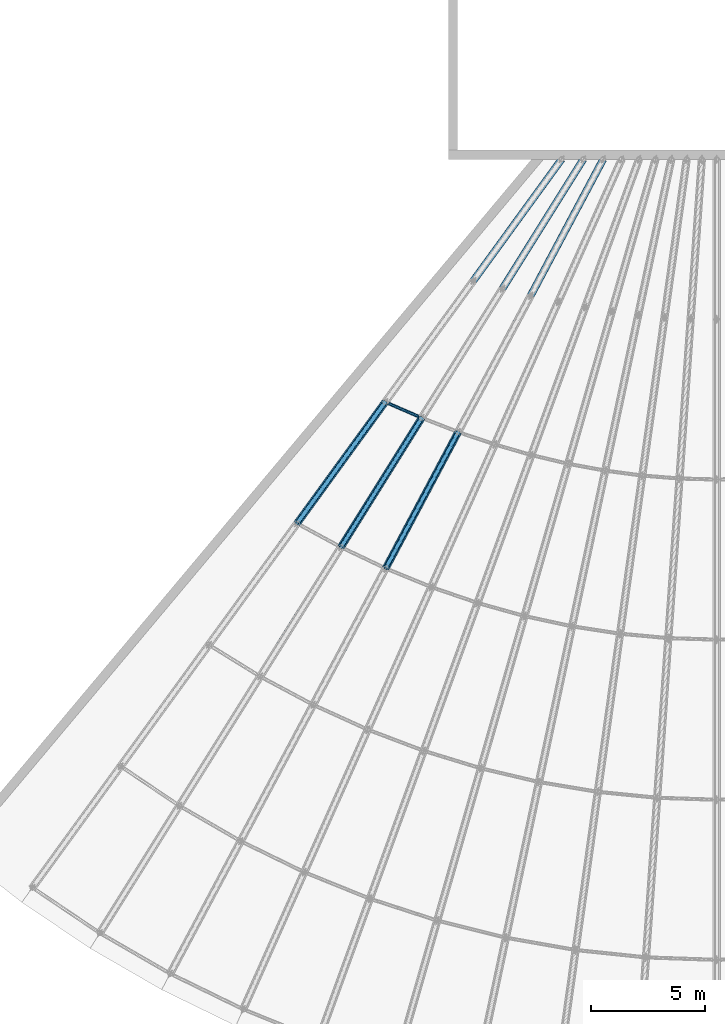
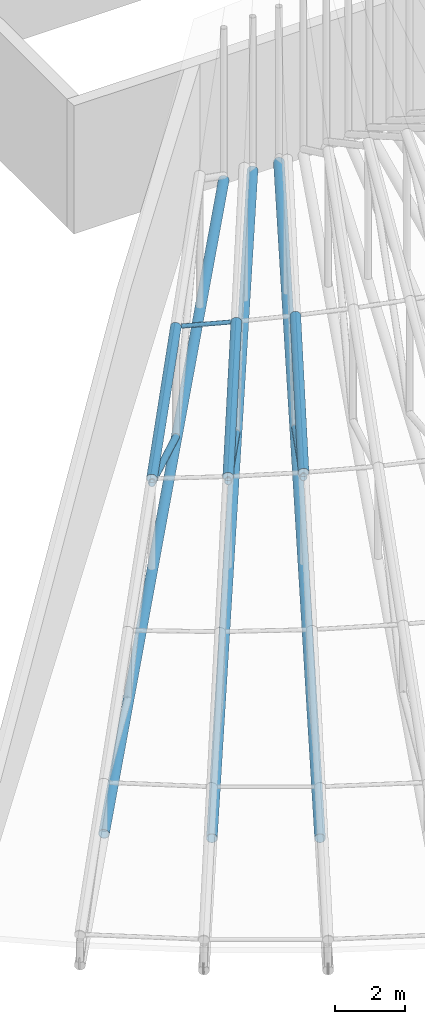
# One storey, part 25 of 163: 10 members.
"""IFC4 building model written with IfcOpenShell, lengths in metres."""

from ifc_helpers import new_model, si_unit, direction, frame, origin, origin_2d, place, context, subcontext, project, spatial, hollow_circle, extrude, material, material_profile, profile_set, type_object, element, save


model = new_model("IFC4")

# Units and contexts
model_context = context("Model", 3, precision=1e-05, world=origin(), true_north=direction((0.0, 1.0)))
body_context = subcontext(model_context, "Body", "Model", "MODEL_VIEW")
ifc_project = project(units=[si_unit("LENGTHUNIT", "METRE"), si_unit("AREAUNIT", "SQUARE_METRE"), si_unit("VOLUMEUNIT", "CUBIC_METRE"), si_unit("PLANEANGLEUNIT", "RADIAN"), si_unit("MASSUNIT", "GRAM", prefix="KILO")], contexts=[model_context])

# Site, building, storey
site_placement = place(None, origin())
site = spatial("IfcSite", under=ifc_project, at=site_placement, CompositionType="ELEMENT")
building_placement = place(site_placement, origin())
building = spatial("IfcBuilding", under=site, at=building_placement, Name="Rain Tree Exposition and Congress Centre", CompositionType="ELEMENT")
storey_placement = place(building_placement, frame((0.0, 0.0, 10.5)))
storey = spatial("IfcBuildingStorey", under=building, at=storey_placement, Name="L02", CompositionType="ELEMENT", Elevation=10.5)

# Members
ifc_material_1 = material(Name="Steel S355J2H", Category="steel")
ifc_material_profile_1 = material_profile(ifc_material_1, hollow_circle(Radius=0.108154296875, WallThickness=0.008056640625, at=origin_2d()), Name="CHS 216x8")
ifc_profile_set_1 = profile_set([ifc_material_profile_1], Name="Steel S355J2H")
member_type_1 = type_object("IfcMemberType", Name="Steel brace member CHS 216x8", PredefinedType="BRACE", material=ifc_profile_set_1)
member_1_placement = place(storey_placement, frame((183.14208984375, 41.794677734375, 3.295166015625), z_axis=(0.535781309587, 0.737466581608, -0.411195123158), x_axis=(-0.809027179855, 0.587771232927, 0.0)))
element("IfcMember", 1, at=member_1_placement, inside=storey, type_object=member_type_1, Name="TD1-4", PredefinedType="BRACE", context=body_context, shape_type="SweptSolid", body=[
    extrude(hollow_circle(Radius=0.108154296875, WallThickness=0.008056640625, at=origin_2d()), origin(), (0.0, 0.0, 1.0), 7.23876953125),
])
member_2_placement = place(storey_placement, frame((185.072509765625, 40.750244140625, 3.319091796875), z_axis=(0.483689717571, 0.774089659315, -0.408447617765), x_axis=(-0.848055572796, 0.529907298921, 0.0)))
element("IfcMember", 2, at=member_2_placement, inside=storey, type_object=member_type_1, Name="TD2-4", PredefinedType="BRACE", context=body_context, shape_type="SweptSolid", body=[
    extrude(hollow_circle(Radius=0.108154296875, WallThickness=0.008056640625, at=origin_2d()), origin(), (0.0, 0.0, 1.0), 7.34619140625),
])
member_3_placement = place(storey_placement, frame((187.039794921875, 39.81640625, 3.3388671875), z_axis=(0.428994055333, 0.806789937791, -0.406268503294), x_axis=(-0.88294022737, 0.469485414993, 0.0)))
element("IfcMember", 3, at=member_3_placement, inside=storey, type_object=member_type_1, Name="TD3-4", PredefinedType="BRACE", context=body_context, shape_type="SweptSolid", body=[
    extrude(hollow_circle(Radius=0.108154296875, WallThickness=0.008056640625, at=origin_2d()), origin(), (0.0, 0.0, 1.0), 7.43408203125),
])
ifc_material_2 = material(Name="Steel S355J2H", Category="steel")
ifc_material_profile_2 = material_profile(ifc_material_2, hollow_circle(Radius=0.1591796875, WallThickness=0.010009765625, at=origin_2d()), Name="CHS 318x10")
ifc_profile_set_2 = profile_set([ifc_material_profile_2], Name="Steel S355J2H")
member_type_2 = type_object("IfcMemberType", Name="Steel chord member CHS 318x10", PredefinedType="CHORD", material=ifc_profile_set_2)
member_4_placement = place(storey_placement, frame((175.384765625, 31.117919921875, 0.1591796875), z_axis=(0.587787087222, 0.809015661217, 0.0), x_axis=(-0.809015661217, 0.587787087222, 0.0)))
element("IfcMember", 4, at=member_4_placement, inside=storey, type_object=member_type_2, Name="TC1-2", PredefinedType="CHORD", context=body_context, shape_type="SweptSolid", body=[
    extrude(hollow_circle(Radius=0.1591796875, WallThickness=0.010009765625, at=origin_2d()), origin(), (0.0, 0.0, 1.0), 32.993408203125),
])
member_5_placement = place(storey_placement, frame((183.14208984375, 41.794677734375, 3.456298828125), z_axis=(0.584088112229, 0.803957614378, 0.111773124838), x_axis=(-0.809027179855, 0.587771232927, 0.0)))
element("IfcMember", 5, at=member_5_placement, inside=storey, type_object=member_type_2, Name="TT1-4", PredefinedType="CHORD", context=body_context, shape_type="SweptSolid", body=[
    extrude(hollow_circle(Radius=0.1591796875, WallThickness=0.010009765625, at=origin_2d()), origin(), (0.0, 0.0, 1.0), 6.64013671875),
])
member_6_placement = place(storey_placement, frame((177.965576171875, 29.377197265625, 0.1591796875), z_axis=(0.529919737694, 0.848047800305, 0.0), x_axis=(-0.848047800305, 0.529919737694, 0.0)))
element("IfcMember", 6, at=member_6_placement, inside=storey, type_object=member_type_2, Name="TC2-2", PredefinedType="CHORD", context=body_context, shape_type="SweptSolid", body=[
    extrude(hollow_circle(Radius=0.1591796875, WallThickness=0.010009765625, at=origin_2d()), origin(), (0.0, 0.0, 1.0), 33.52734375),
])
member_7_placement = place(storey_placement, frame((185.072509765625, 40.750244140625, 3.480224609375), z_axis=(0.526585121644, 0.842738810866, 0.111800743842), x_axis=(-0.848055572796, 0.529907298921, 0.0)))
element("IfcMember", 7, at=member_7_placement, inside=storey, type_object=member_type_2, Name="TT2-4", PredefinedType="CHORD", context=body_context, shape_type="SweptSolid", body=[
    extrude(hollow_circle(Radius=0.1591796875, WallThickness=0.010009765625, at=origin_2d()), origin(), (0.0, 0.0, 1.0), 6.74755859375),
])
member_8_placement = place(storey_placement, frame((180.66162109375, 27.820556640625, 0.1591796875), z_axis=(0.469468248423, 0.882949355129, 0.0), x_axis=(-0.882949355129, 0.469468248423, 0.0)))
element("IfcMember", 8, at=member_8_placement, inside=storey, type_object=member_type_2, Name="TC3-2", PredefinedType="CHORD", context=body_context, shape_type="SweptSolid", body=[
    extrude(hollow_circle(Radius=0.1591796875, WallThickness=0.010009765625, at=origin_2d()), origin(), (0.0, 0.0, 1.0), 33.965087890625),
])
member_9_placement = place(storey_placement, frame((187.039794921875, 39.81640625, 3.5), z_axis=(0.46654274878, 0.877406086601, 0.111787399807), x_axis=(-0.88294022737, 0.469485414993, 0.0)))
element("IfcMember", 9, at=member_9_placement, inside=storey, type_object=member_type_2, Name="TT3-4", PredefinedType="CHORD", context=body_context, shape_type="SweptSolid", body=[
    extrude(hollow_circle(Radius=0.1591796875, WallThickness=0.010009765625, at=origin_2d()), origin(), (0.0, 0.0, 1.0), 6.8359375),
])
ifc_material_3 = material(Name="Steel S355J2H", Category="steel")
ifc_material_profile_3 = material_profile(ifc_material_3, hollow_circle(Radius=0.06982421875, WallThickness=0.0048828125, at=origin_2d()), Name="CHS 140x5")
ifc_profile_set_3 = profile_set([ifc_material_profile_3], Name="Steel S355J2H")
member_type_3 = type_object("IfcMemberType", Name="Steel purlin member CHS 140x5", PredefinedType="PURLIN", material=ifc_profile_set_3)
member_10_placement = place(storey_placement, frame((187.166748046875, 47.069580078125, 4.201904296875), z_axis=(0.917240923923, -0.397806552834, 0.020470320043), x_axis=(0.397889926273, 0.917433161909, 0.0)))
element("IfcMember", 10, at=member_10_placement, inside=storey, type_object=member_type_3, Name="PU1-4", PredefinedType="PURLIN", context=body_context, shape_type="SweptSolid", body=[
    extrude(hollow_circle(Radius=0.06982421875, WallThickness=0.0048828125, at=origin_2d()), origin(), (0.0, 0.0, 1.0), 1.43115234375),
])

save(model, "model.ifc")
